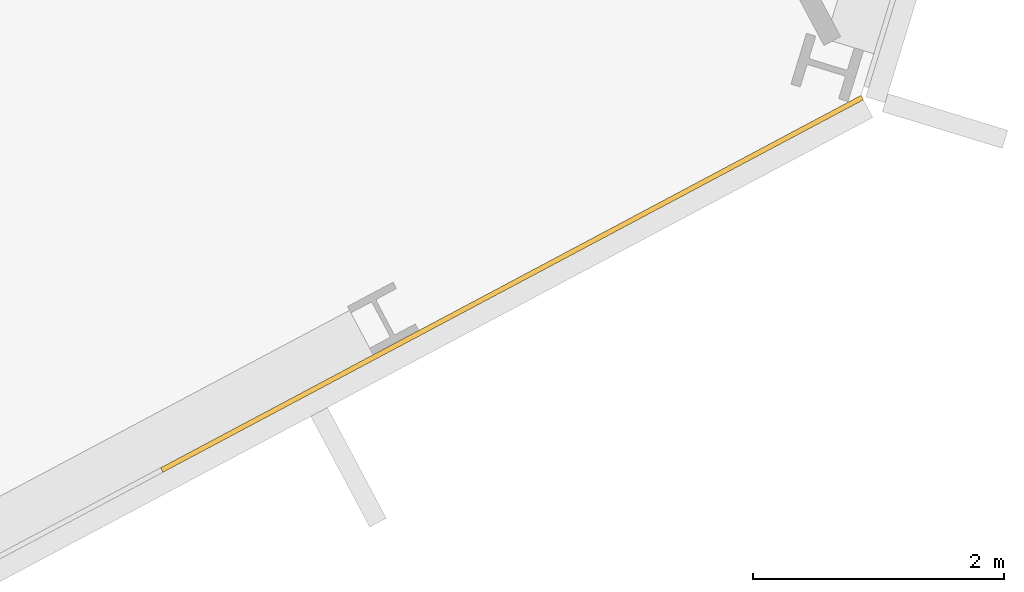
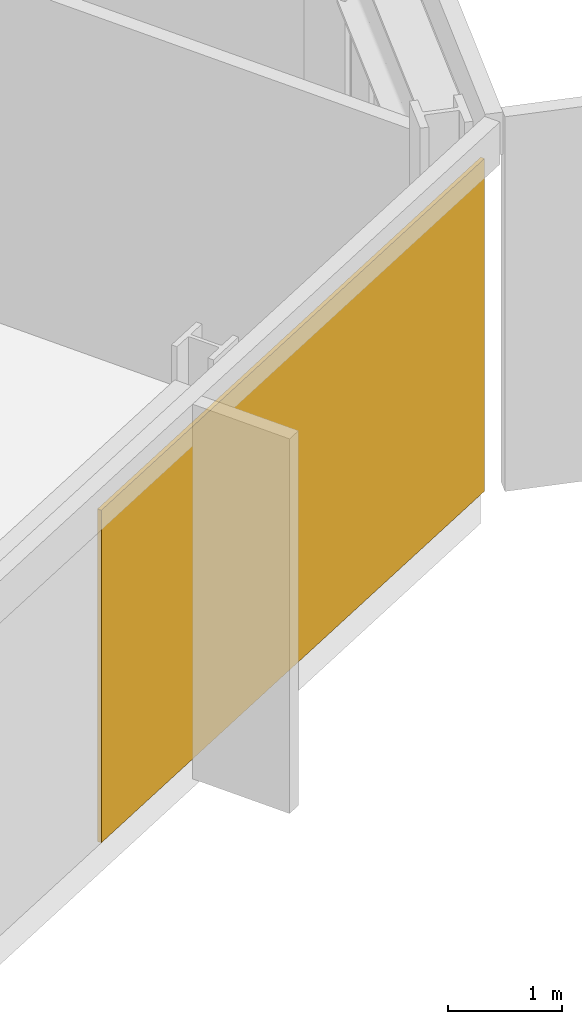
# One storey, part 26 of 28: 1 covering, 1 element without a shape of its own.
"""IFC4 building model written with IfcOpenShell, lengths in metres."""

from ifc_helpers import new_model, si_unit, direction, frame, origin, origin_2d, place, context, subcontext, project, spatial, rectangle, extrude, material, layer, layer_set, type_object, element, aggregate, save


model = new_model("IFC4")

# Units and contexts
model_context = context("Model", 3, precision=1e-05, world=origin(), true_north=direction((0.0, 1.0)))
body_context = subcontext(model_context, "Body", "Model", "MODEL_VIEW")
ifc_project = project(units=[si_unit("LENGTHUNIT", "METRE"), si_unit("AREAUNIT", "SQUARE_METRE"), si_unit("VOLUMEUNIT", "CUBIC_METRE"), si_unit("PLANEANGLEUNIT", "RADIAN"), si_unit("MASSUNIT", "GRAM", prefix="KILO")], contexts=[model_context])

# Site, building, storey
site_placement = place(None, origin())
site = spatial("IfcSite", under=ifc_project, at=site_placement, CompositionType="ELEMENT")
building_placement = place(site_placement, origin())
building = spatial("IfcBuilding", under=site, at=building_placement, Name="Cormorant Relay Tower", CompositionType="ELEMENT")
storey_placement = place(building_placement, frame((0.0, 0.0, 146.199951171875)))
storey = spatial("IfcBuildingStorey", under=building, at=storey_placement, Name="L30", CompositionType="ELEMENT", Elevation=146.199951171875)

# Curtain wall, covering
ifc_material_1 = material(Name="Aluminium 6063-T6 anodised bronze", Category="aluminium")
ifc_layer_1 = layer(ifc_material_1, 0.199951171875)
ifc_layer_set_1 = layer_set([ifc_layer_1], Name="CW1 unitised bronze curtain wall with vertical fins")
curtain_wall_type = type_object("IfcCurtainWallType", Name="CW1 unitised bronze curtain wall with vertical fins", PredefinedType="NOTDEFINED", material=ifc_layer_set_1)
curtain_wall_placement = place(storey_placement, origin())
curtain_wall = element("IfcCurtainWall", 1, at=curtain_wall_placement, inside=storey, type_object=curtain_wall_type, Name="CW1 curtain wall 4", PredefinedType="NOTDEFINED")
ifc_material_2 = material(Name="Pale bronze anodised aluminium insulated panel", Category="aluminium")
ifc_layer_2 = layer(ifc_material_2, 0.0400390625)
ifc_layer_set_2 = layer_set([ifc_layer_2], Name="CW1 pale bronze insulated panel 40")
covering_type = type_object("IfcCoveringType", Name="CW1 pale bronze insulated panel 40", PredefinedType="CLADDING", material=ifc_layer_set_2)
covering_placement = place(storey_placement, frame((52.93310546875, 6.603515625, 0.0), z_axis=(0.0, 0.0, 1.0), x_axis=(0.882947592859, 0.469471562786, 0.0)))
covering = element("IfcCovering", 2, at=covering_placement, type_object=covering_type, Name="CW1 panel S05", PredefinedType="CLADDING", context=body_context, shape_type="SweptSolid", body=[
    extrude(rectangle(XDim=6.324951171875, YDim=0.0400390625, at=origin_2d()), origin(), (0.0, 0.0, 1.0), 3.550048828125),
])
aggregate(curtain_wall, [covering])

save(model, "model.ifc")
